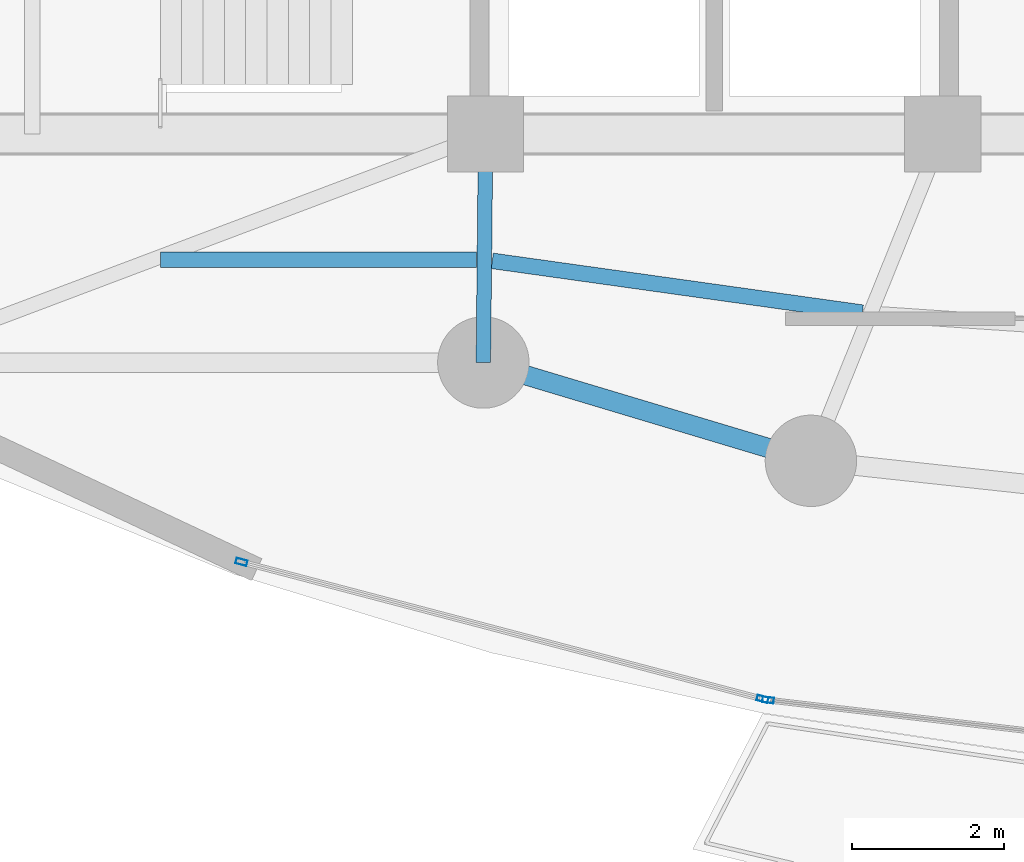
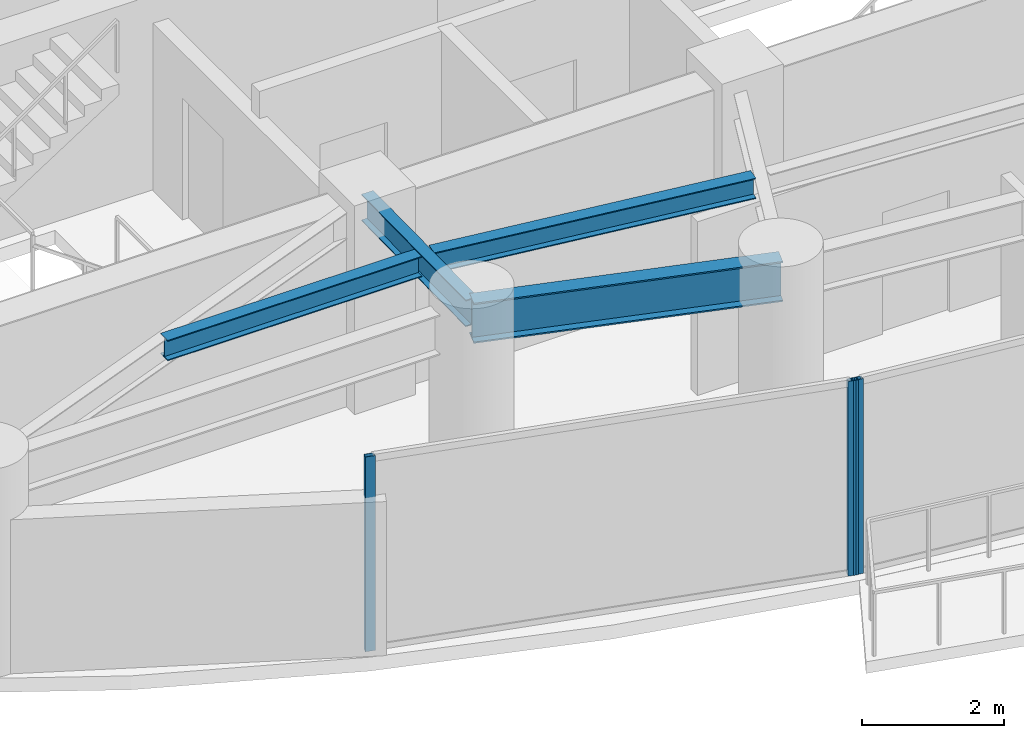
# One storey, part 5 of 33: 4 beams, 3 members, 2 elements without a shape of their own.
"""IFC4 building model written with IfcOpenShell, lengths in metres."""

from ifc_helpers import new_model, si_unit, direction, frame, origin, origin_2d, place, context, subcontext, project, spatial, hollow_rectangle, i_section, extrude, material, layer, layer_set, material_profile, profile_set, type_object, element, aggregate, save


model = new_model("IFC4")

# Units and contexts
model_context = context("Model", 3, precision=1e-05, world=origin(), true_north=direction((0.0, 1.0)))
body_context = subcontext(model_context, "Body", "Model", "MODEL_VIEW")
ifc_project = project(units=[si_unit("LENGTHUNIT", "METRE"), si_unit("AREAUNIT", "SQUARE_METRE"), si_unit("VOLUMEUNIT", "CUBIC_METRE"), si_unit("PLANEANGLEUNIT", "RADIAN"), si_unit("MASSUNIT", "GRAM", prefix="KILO")], contexts=[model_context])

# Site, building, storey
site_placement = place(None, origin())
site = spatial("IfcSite", under=ifc_project, at=site_placement, CompositionType="ELEMENT")
building_placement = place(site_placement, origin())
building = spatial("IfcBuilding", under=site, at=building_placement, Name="Kazevale Care Tower and Concert Hall", CompositionType="ELEMENT")
storey_placement = place(building_placement, frame((0.0, 0.0, 149.39990234375)))
storey = spatial("IfcBuildingStorey", under=building, at=storey_placement, Name="L39", CompositionType="ELEMENT", Elevation=149.39990234375)

# Curtain wall, member
ifc_material_1 = material(Name="Aluminium 6063-T6 and Low-E Glass", Category="aluminium")
ifc_layer = layer(ifc_material_1, 0.179931640625)
ifc_layer_set = layer_set([ifc_layer], Name="Aluminium 6063-T6 and Low-E Glass")
curtain_wall_type = type_object("IfcCurtainWallType", Name="Sheltered Concave Balcony Curtain Wall CW-5", PredefinedType="NOTDEFINED", material=ifc_layer_set)
curtain_wall_1_placement = place(storey_placement, origin())
curtain_wall_1 = element("IfcCurtainWall", 1, at=curtain_wall_1_placement, inside=storey, type_object=curtain_wall_type, Name="cw:L39:f07", PredefinedType="NOTDEFINED")
ifc_material_2 = material(Name="Aluminium 6063-T6", Category="aluminium")
ifc_material_profile_1 = material_profile(ifc_material_2, hollow_rectangle(XDim=0.074951171875, YDim=0.14990234375, WallThickness=0.00390625, at=origin_2d()), Name="ALU75x150x4")
ifc_profile_set_1 = profile_set([ifc_material_profile_1], Name="Aluminium 6063-T6")
member_type = type_object("IfcMemberType", Name="CW-5 Mullion ALU75x150x4", PredefinedType="MULLION", material=ifc_profile_set_1)
member_1_placement = place(storey_placement, frame((33.708251953125, 16.169677734375, 0.0), z_axis=(0.0, 0.0, 1.0), x_axis=(-0.117372179238, -0.993087997884, 0.0)))
member_1 = element("IfcMember", 2, at=member_1_placement, type_object=member_type, Name="CW-5 mullion 2", PredefinedType="MULLION", context=body_context, shape_type="SweptSolid", body=[
    extrude(hollow_rectangle(XDim=0.074951171875, YDim=0.14990234375, WallThickness=0.00390625, at=origin_2d()), origin(), (0.0, 0.0, 1.0), 3.360107421875),
])
aggregate(curtain_wall_1, [member_1])

# Curtain wall, members
curtain_wall_2_placement = place(storey_placement, origin())
curtain_wall_2 = element("IfcCurtainWall", 3, at=curtain_wall_2_placement, inside=storey, type_object=curtain_wall_type, Name="cw:L39:f08", PredefinedType="NOTDEFINED")
member_2_placement = place(storey_placement, frame((33.634765625, 16.18359375, 0.0), z_axis=(0.0, 0.0, 1.0), x_axis=(-0.254238458229, -0.967141564797, 0.0)))
member_2 = element("IfcMember", 4, at=member_2_placement, type_object=member_type, Name="CW-5 mullion 1", PredefinedType="MULLION", context=body_context, shape_type="SweptSolid", body=[
    extrude(hollow_rectangle(XDim=0.074951171875, YDim=0.14990234375, WallThickness=0.00390625, at=origin_2d()), origin(), (0.0, 0.0, 1.0), 3.360107421875),
])
member_3_placement = place(storey_placement, frame((26.795166015625, 17.9814453125, 0.0), z_axis=(0.0, 0.0, 1.0), x_axis=(-0.254238458229, -0.967141564797, 0.0)))
member_3 = element("IfcMember", 5, at=member_3_placement, type_object=member_type, Name="CW-5 mullion 2", PredefinedType="MULLION", context=body_context, shape_type="SweptSolid", body=[
    extrude(hollow_rectangle(XDim=0.074951171875, YDim=0.14990234375, WallThickness=0.00390625, at=origin_2d()), origin(), (0.0, 0.0, 1.0), 3.360107421875),
])
aggregate(curtain_wall_2, [member_2, member_3])

# Beams
ifc_material_3 = material(Name="Steel ASTM A572 Gr 50", Category="steel")
ifc_material_profile_2 = material_profile(ifc_material_3, i_section(OverallWidth=0.19091796875, OverallDepth=0.4599609375, WebThickness=0.010009765625, FlangeThickness=0.01611328125, at=origin_2d()), Name="W460x82")
ifc_profile_set_2 = profile_set([ifc_material_profile_2], Name="Steel ASTM A572 Gr 50")
beam_type_1 = type_object("IfcBeamType", Name="Radial Floor Beam W460x82", PredefinedType="BEAM", material=ifc_profile_set_2)
beam_1_placement = place(storey_placement, frame((30.0, 23.60009765625, 3.130126953125), z_axis=(-0.010009264196, -0.99994990606, 0.0), x_axis=(0.99994990606, -0.010009264196, 0.0)))
element("IfcBeam", 6, at=beam_1_placement, inside=storey, type_object=beam_type_1, Name="beam:L39:rad:11", PredefinedType="BEAM", context=body_context, shape_type="SweptSolid", body=[
    extrude(i_section(OverallWidth=0.19091796875, OverallDepth=0.4599609375, WebThickness=0.010009765625, FlangeThickness=0.01611328125, at=origin_2d()), origin(), (0.0, 0.0, 1.0), 3.000244140625),
])
ifc_material_profile_3 = material_profile(ifc_material_3, i_section(OverallWidth=0.205078125, OverallDepth=0.35400390625, WebThickness=0.009521484375, FlangeThickness=0.016845703125, at=origin_2d()), Name="W360x79")
ifc_profile_set_3 = profile_set([ifc_material_profile_3], Name="Steel ASTM A572 Gr 50")
beam_type_2 = type_object("IfcBeamType", Name="Secondary Floor Joist W360x79", PredefinedType="JOIST", material=ifc_profile_set_3)
beam_2_placement = place(storey_placement, frame((25.73291015625, 21.949951171875, 3.18310546875), z_axis=(1.0, 0.0, 0.0), x_axis=(0.0, 1.0, 0.0)))
element("IfcBeam", 7, at=beam_2_placement, inside=storey, type_object=beam_type_2, Name="beam:L39:joist:10", PredefinedType="JOIST", context=body_context, shape_type="SweptSolid", body=[
    extrude(i_section(OverallWidth=0.205078125, OverallDepth=0.35400390625, WebThickness=0.009521484375, FlangeThickness=0.016845703125, at=origin_2d()), origin(), (0.0, 0.0, 1.0), 4.14501953125),
])
beam_3_placement = place(storey_placement, frame((30.0869140625, 21.93505859375, 3.18310546875), z_axis=(0.990340789942, -0.138654678164, 0.0), x_axis=(0.138654678164, 0.990340789942, 0.0)))
element("IfcBeam", 8, at=beam_3_placement, inside=storey, type_object=beam_type_2, Name="beam:L39:joist:11", PredefinedType="JOIST", context=body_context, shape_type="SweptSolid", body=[
    extrude(i_section(OverallWidth=0.205078125, OverallDepth=0.35400390625, WebThickness=0.009521484375, FlangeThickness=0.016845703125, at=origin_2d()), origin(), (0.0, 0.0, 1.0), 4.905517578125),
])
ifc_material_profile_4 = material_profile(ifc_material_3, i_section(OverallWidth=0.256103515625, OverallDepth=0.693115234375, WebThickness=0.014404296875, FlangeThickness=0.023681640625, at=origin_2d()), Name="W690x170")
ifc_profile_set_4 = profile_set([ifc_material_profile_4], Name="Steel ASTM A572 Gr 50")
beam_type_3 = type_object("IfcBeamType", Name="Waist Ring Beam W690x170", PredefinedType="BEAM", material=ifc_profile_set_4)
beam_4_placement = place(storey_placement, frame((29.969970703125, 20.60009765625, 3.013671875), z_axis=(0.957824788464, -0.287352874709, 0.0), x_axis=(0.287352874709, 0.957824788464, 0.0)))
element("IfcBeam", 9, at=beam_4_placement, inside=storey, type_object=beam_type_3, Name="beam:L39:ring:11", PredefinedType="BEAM", context=body_context, shape_type="SweptSolid", body=[
    extrude(i_section(OverallWidth=0.256103515625, OverallDepth=0.693115234375, WebThickness=0.014404296875, FlangeThickness=0.023681640625, at=origin_2d()), origin(), (0.0, 0.0, 1.0), 4.489501953125),
])

save(model, "model.ifc")
